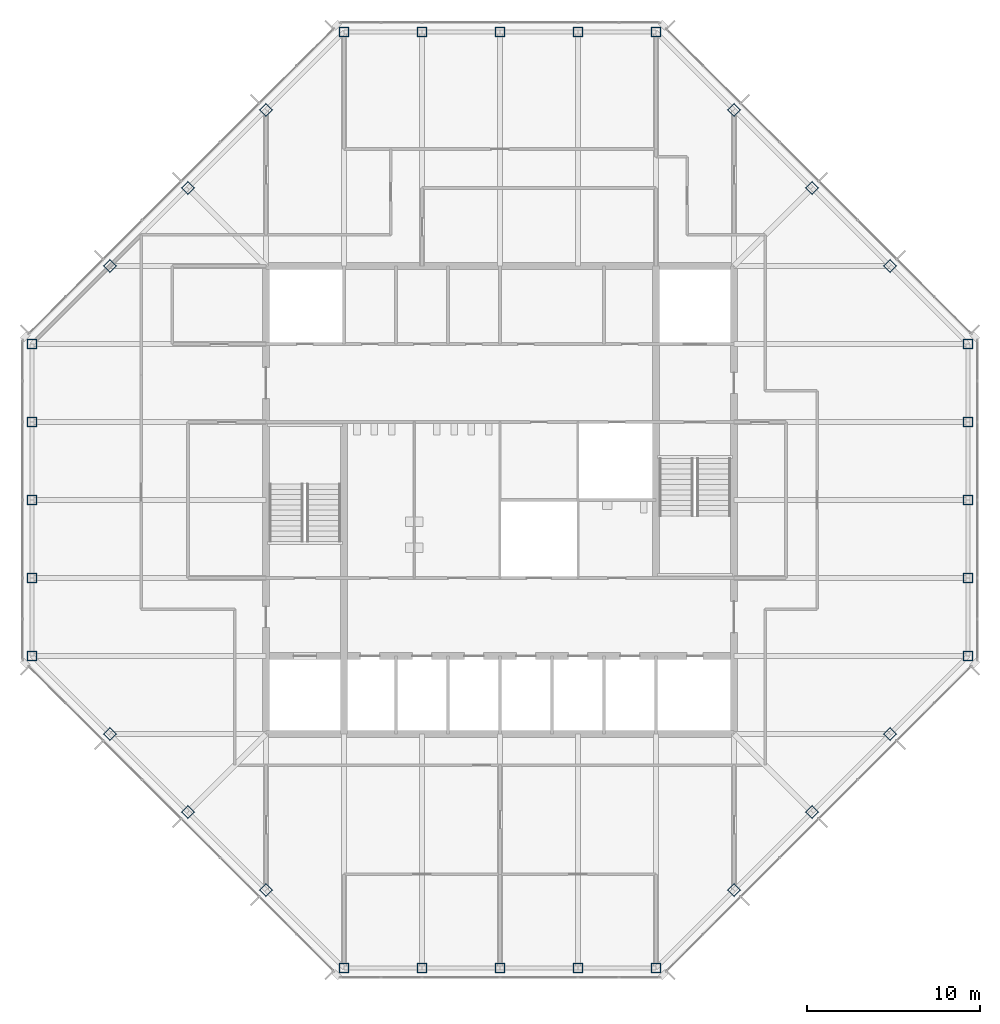
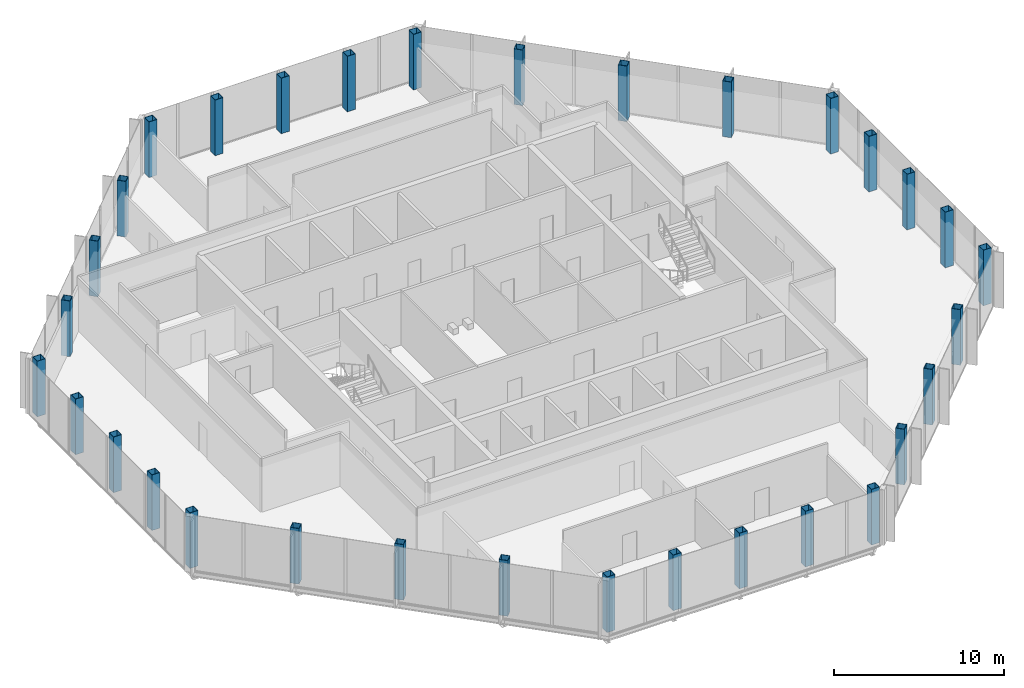
# One storey, part 1 of 13: 32 columns.
"""IFC4 building model written with IfcOpenShell, lengths in metres."""

from ifc_helpers import new_model, si_unit, direction, frame, origin, origin_2d, place, context, subcontext, project, spatial, hollow_rectangle, extrude, material, material_profile, profile_set, type_object, element, save


model = new_model("IFC4")

# Units and contexts
model_context = context("Model", 3, precision=1e-05, world=origin(), true_north=direction((0.0, 1.0)))
body_context = subcontext(model_context, "Body", "Model", "MODEL_VIEW")
ifc_project = project(units=[si_unit("LENGTHUNIT", "METRE"), si_unit("AREAUNIT", "SQUARE_METRE"), si_unit("VOLUMEUNIT", "CUBIC_METRE"), si_unit("PLANEANGLEUNIT", "RADIAN"), si_unit("MASSUNIT", "GRAM", prefix="KILO")], contexts=[model_context])

# Site, building, storey
site_placement = place(None, origin())
site = spatial("IfcSite", under=ifc_project, at=site_placement, CompositionType="ELEMENT")
building_placement = place(site_placement, origin())
building = spatial("IfcBuilding", under=site, at=building_placement, Name="Corais Broadcast Tower", CompositionType="ELEMENT")
storey_placement = place(building_placement, frame((0.0, 0.0, 306.60009765625)))
storey = spatial("IfcBuildingStorey", under=building, at=storey_placement, Name="L72", CompositionType="ELEMENT", Elevation=306.60009765625)

# Columns
ifc_material = material(Name="Steel ASTM A572 Grade 50", Category="steel")
ifc_material_profile = material_profile(ifc_material, hollow_rectangle(XDim=0.550048828125, YDim=0.550048828125, WallThickness=0.02490234375, at=origin_2d()), Name="BOX 550x550x25")
ifc_profile_set = profile_set([ifc_material_profile], Name="Steel ASTM A572 Grade 50")
column_type = type_object("IfcColumnType", Name="Column BOX 550x550x25", PredefinedType="COLUMN", material=ifc_profile_set)
for number, where, z_axis, x_axis, name in (
    (1, (18.0, 0.0, 0.0), (0.0, 0.0, 1.0), (1.0, 0.0, 0.0), "C8 A/7"),
    (2, (22.5, 0.0, 0.0), (0.0, 0.0, 1.0), (1.0, 0.0, 0.0), "C8 A/8"),
    (3, (27.0, 0.0, 0.0), (0.0, 0.0, 1.0), (1.0, 0.0, 0.0), "C8 A/9"),
    (4, (31.5, 0.0, 0.0), (0.0, 0.0, 1.0), (1.0, 0.0, 0.0), "C8 A/10"),
    (5, (36.0, 0.0, 0.0), (0.0, 0.0, 1.0), (1.0, 0.0, 0.0), "C8 A/11"),
    (6, (54.0, 18.0, 0.0), (0.0, 0.0, 1.0), (1.0, 0.0, 0.0), "C8 E/15"),
    (7, (54.0, 22.5, 0.0), (0.0, 0.0, 1.0), (1.0, 0.0, 0.0), "C8 F/15"),
    (8, (54.0, 27.0, 0.0), (0.0, 0.0, 1.0), (1.0, 0.0, 0.0), "C8 G/15"),
    (9, (54.0, 31.5, 0.0), (0.0, 0.0, 1.0), (1.0, 0.0, 0.0), "C8 H/15"),
    (10, (54.0, 36.0, 0.0), (0.0, 0.0, 1.0), (1.0, 0.0, 0.0), "C8 J/15"),
    (11, (36.0, 54.0, 0.0), (0.0, 0.0, 1.0), (1.0, 0.0, 0.0), "C8 N/11"),
    (12, (31.5, 54.0, 0.0), (0.0, 0.0, 1.0), (1.0, 0.0, 0.0), "C8 N/10"),
    (13, (27.0, 54.0, 0.0), (0.0, 0.0, 1.0), (1.0, 0.0, 0.0), "C8 N/9"),
    (14, (22.5, 54.0, 0.0), (0.0, 0.0, 1.0), (1.0, 0.0, 0.0), "C8 N/8"),
    (15, (18.0, 54.0, 0.0), (0.0, 0.0, 1.0), (1.0, 0.0, 0.0), "C8 N/7"),
    (16, (0.0, 36.0, 0.0), (0.0, 0.0, 1.0), (1.0, 0.0, 0.0), "C8 J/3"),
    (17, (0.0, 31.5, 0.0), (0.0, 0.0, 1.0), (1.0, 0.0, 0.0), "C8 H/3"),
    (18, (0.0, 27.0, 0.0), (0.0, 0.0, 1.0), (1.0, 0.0, 0.0), "C8 G/3"),
    (19, (0.0, 22.5, 0.0), (0.0, 0.0, 1.0), (1.0, 0.0, 0.0), "C8 F/3"),
    (20, (0.0, 18.0, 0.0), (0.0, 0.0, 1.0), (1.0, 0.0, 0.0), "C8 E/3"),
    (21, (13.5, 4.5, 0.0), (0.0, 0.0, 1.0), (0.707106781187, 0.707106781187, 0.0), "C8 B/6"),
    (22, (9.0, 9.0, 0.0), (0.0, 0.0, 1.0), (0.707106781187, 0.707106781187, 0.0), "C8 C/5"),
    (23, (4.5, 13.5, 0.0), (0.0, 0.0, 1.0), (0.707106781187, 0.707106781187, 0.0), "C8 D/4"),
    (24, (40.5, 4.5, 0.0), (0.0, 0.0, 1.0), (0.707106781187, 0.707106781187, 0.0), "C8 B/12"),
    (25, (45.0, 9.0, 0.0), (0.0, 0.0, 1.0), (0.707106781187, 0.707106781187, 0.0), "C8 C/13"),
    (26, (49.5, 13.5, 0.0), (0.0, 0.0, 1.0), (0.707106781187, 0.707106781187, 0.0), "C8 D/14"),
    (27, (49.5, 40.5, 0.0), (0.0, 0.0, 1.0), (0.707106781187, 0.707106781187, 0.0), "C8 K/14"),
    (28, (45.0, 45.0, 0.0), (0.0, 0.0, 1.0), (0.707106781187, 0.707106781187, 0.0), "C8 L/13"),
    (29, (40.5, 49.5, 0.0), (0.0, 0.0, 1.0), (0.707106781187, 0.707106781187, 0.0), "C8 M/12"),
    (30, (4.5, 40.5, 0.0), (0.0, 0.0, 1.0), (0.707106781187, 0.707106781187, 0.0), "C8 K/4"),
    (31, (9.0, 45.0, 0.0), (0.0, 0.0, 1.0), (0.707106781187, 0.707106781187, 0.0), "C8 L/5"),
    (32, (13.5, 49.5, 0.0), (0.0, 0.0, 1.0), (0.707106781187, 0.707106781187, 0.0), "C8 M/6"),
):
    element("IfcColumn", number, at=place(storey_placement, frame(where, z_axis=z_axis, x_axis=x_axis)), inside=storey, type_object=column_type, Name=name, PredefinedType="COLUMN", context=body_context, shape_type="SweptSolid", body=[
        extrude(hollow_rectangle(XDim=0.550048828125, YDim=0.550048828125, WallThickness=0.02490234375, at=origin_2d()), origin(), (0.0, 0.0, 1.0), 4.0),
    ])

save(model, "model.ifc")
